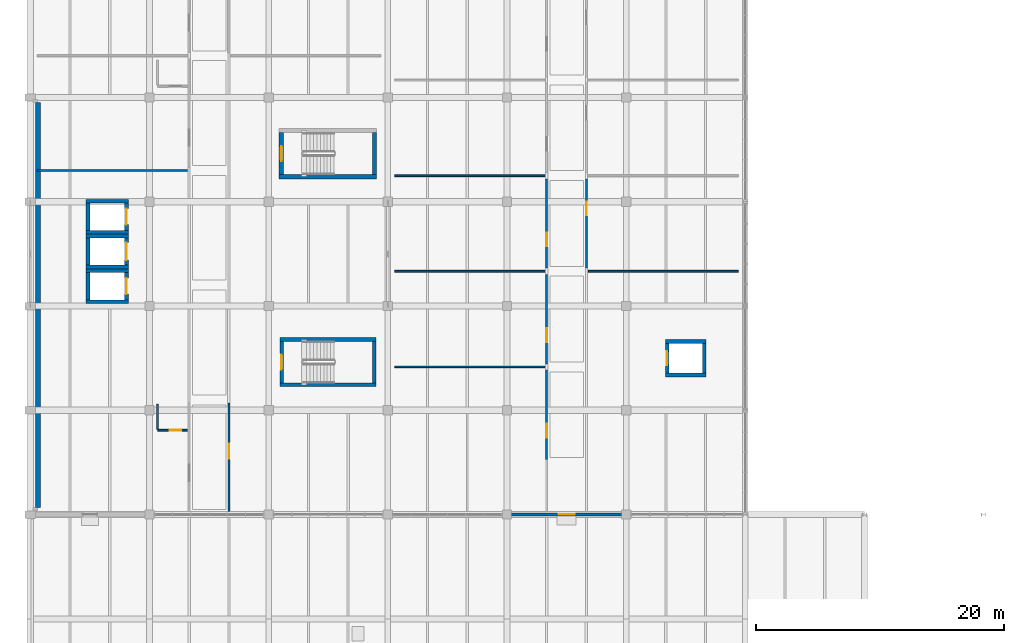
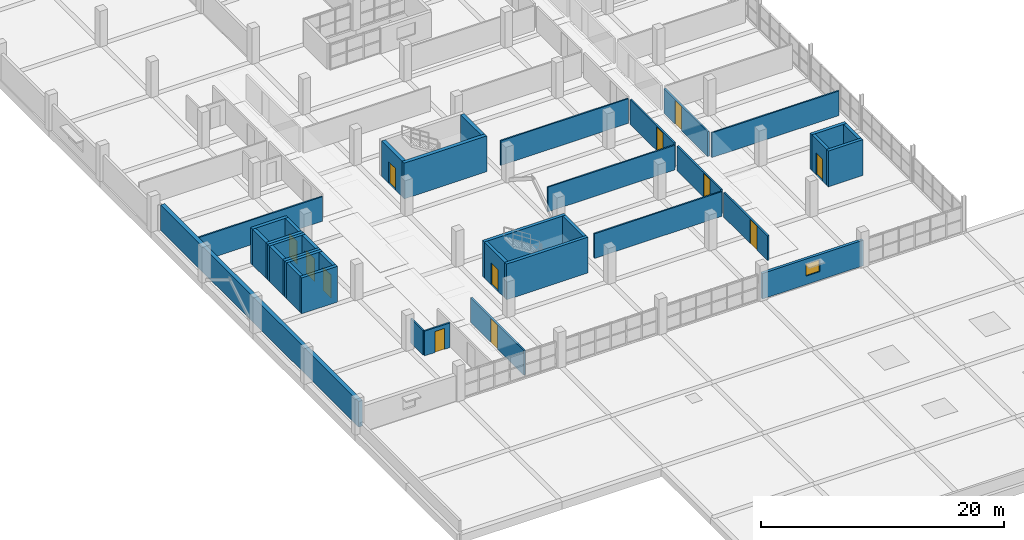
# One storey, part 119 of 147: 37 walls, 12 doors, 1 window, 13 openings.
"""IFC4 building model written with IfcOpenShell, lengths in metres."""

import ifcopenshell
import ifcopenshell.guid

model = None  # the IFC model being written
_history = None  # IfcOwnerHistory: only IFC2X3 demands one
_inside = {}  # id of a spatial element -> (the spatial element, [elements in it])
_under = {}  # id of a project, library or spatial element -> (it, [spatial elements below it])
_declared = {}  # id of a project -> (the project, [libraries it declares])
_typed = {}  # id of a type object -> (the type object, [elements of that type])
_made_of = {}  # id of a material, layer set ... -> (it, [elements and type objects made of it])


def new_model(schema):
    """Start an empty IFC model of exactly this schema.

    Asked for "IFC4X3", IfcOpenShell would pick the latest addendum, in which some entities
    have other attributes; the version numbers below select the first issue.
    IFC2X3 requires an IfcOwnerHistory on every rooted entity: one is made here for all.
    """
    global model, _history
    if schema == "IFC4X3":
        model = ifcopenshell.file(schema_version=(4, 3, 0, 0))
    else:
        model = ifcopenshell.file(schema=schema)
    _inside.clear()
    _under.clear()
    _declared.clear()
    _typed.clear()
    _made_of.clear()
    _history = None
    if model.schema == "IFC2X3":
        org = make("IfcOrganization", Name="unknown")
        user = make(
            "IfcPersonAndOrganization",
            ThePerson=make("IfcPerson", FamilyName="unknown"),
            TheOrganization=org,
        )
        app = make(
            "IfcApplication",
            ApplicationDeveloper=org,
            Version="unknown",
            ApplicationFullName="unknown",
            ApplicationIdentifier="unknown",
        )
        _history = make(
            "IfcOwnerHistory",
            OwningUser=user,
            OwningApplication=app,
            ChangeAction="ADDED",
            CreationDate=0,
        )
    return model


def make(cls, **values):
    """One entity of the class cls with the attributes given. An attribute that is None is left unset."""
    return model.create_entity(
        cls, **{name: value for name, value in values.items() if value is not None}
    )


def rooted(cls, **values):
    """An entity with a GlobalId (a new one), such as an element, a storey or a relation."""
    return make(cls, GlobalId=ifcopenshell.guid.new(), OwnerHistory=_history, **values)


def si_unit(unit_type, name, prefix=None):
    """IfcSIUnit, for example si_unit("LENGTHUNIT", "METRE", prefix="MILLI")."""
    return make("IfcSIUnit", UnitType=unit_type, Prefix=prefix, Name=name)


def assignment(units):
    """IfcUnitAssignment: the units of a project."""
    return None if units is None else make("IfcUnitAssignment", Units=units)


def point(xyz):
    """IfcCartesianPoint."""
    return None if xyz is None else make("IfcCartesianPoint", Coordinates=xyz)


def direction(xyz):
    """IfcDirection."""
    return None if xyz is None else make("IfcDirection", DirectionRatios=xyz)


def frame(location, z_axis=None, x_axis=None):
    """IfcAxis2Placement3D, a coordinate frame: its origin and axes. An axis left out is left unset."""
    return make(
        "IfcAxis2Placement3D",
        Location=point(location),
        Axis=direction(z_axis),
        RefDirection=direction(x_axis),
    )


def frame_2d(location, x_axis=None):
    """IfcAxis2Placement2D, a coordinate frame in the plane: its origin and x axis."""
    return make(
        "IfcAxis2Placement2D", Location=point(location), RefDirection=direction(x_axis)
    )


def origin():
    """The frame at (0, 0, 0) with its axes left unset."""
    return frame((0.0, 0.0, 0.0))


def place(relative_to, where):
    """IfcLocalPlacement: puts the frame where relative to a parent placement (None: the world)."""
    return make(
        "IfcLocalPlacement", PlacementRelTo=relative_to, RelativePlacement=where
    )


def context(
    kind, dimensions, precision=None, world=None, true_north=None, identifier=None
):
    """IfcGeometricRepresentationContext, for example the 3D "Model" context."""
    return make(
        "IfcGeometricRepresentationContext",
        ContextIdentifier=identifier,
        ContextType=kind,
        CoordinateSpaceDimension=dimensions,
        Precision=precision,
        WorldCoordinateSystem=world,
        TrueNorth=true_north,
    )


def subcontext(parent, identifier, kind, view, scale=None):
    """IfcGeometricRepresentationSubContext, for example "Body" below "Model"."""
    return make(
        "IfcGeometricRepresentationSubContext",
        ContextIdentifier=identifier,
        ContextType=kind,
        ParentContext=parent,
        TargetScale=scale,
        TargetView=view,
    )


def project(units=None, contexts=None):
    """IfcProject with its units and contexts."""
    return rooted(
        "IfcProject",
        Name="project",
        RepresentationContexts=contexts,
        UnitsInContext=assignment(units),
    )


def spatial(cls, under=None, at=None, **own):
    """A site, building, storey or space (cls), placed at a placement, below another one or the project."""
    s = rooted(cls, ObjectPlacement=at, **own)
    if under is not None:
        _under.setdefault(under.id(), (under, []))[1].append(s)
    return s


def profile(cls, at=None, kind="AREA", **sizes):
    """A parametric profile (cls). Its sizes go by their IFC names, for example OverallWidth=200.0."""
    return make(cls, ProfileType=kind, Position=at, **sizes)


def rectangle(**sizes):
    """IfcRectangleProfileDef."""
    return profile("IfcRectangleProfileDef", **sizes)


def extrude(swept, where, along, depth):
    """IfcExtrudedAreaSolid: the profile swept, set in the frame where, extruded along a direction by depth."""
    return make(
        "IfcExtrudedAreaSolid",
        SweptArea=swept,
        Position=where,
        ExtrudedDirection=direction(along),
        Depth=depth,
    )


def shape(context_of_items, identifier, shape_type, items):
    """IfcShapeRepresentation: the items that make up one representation, for example the "Body"."""
    return make(
        "IfcShapeRepresentation",
        ContextOfItems=context_of_items,
        RepresentationIdentifier=identifier,
        RepresentationType=shape_type,
        Items=items,
    )


def material(Name=None, Category=None):
    """IfcMaterial."""
    return make("IfcMaterial", Name=Name, Category=Category)


def layer(
    of_material, thickness, ventilated=None, Name=None, Category=None, Priority=None
):
    """IfcMaterialLayer: one layer of a wall or slab, of a material (None: an air gap)."""
    return make(
        "IfcMaterialLayer",
        Material=of_material,
        LayerThickness=thickness,
        IsVentilated=ventilated,
        Name=Name,
        Category=Category,
        Priority=Priority,
    )


def layer_set(layers, Name=None):
    """IfcMaterialLayerSet."""
    return make("IfcMaterialLayerSet", MaterialLayers=layers, LayerSetName=Name)


def made_of(thing, what):
    """Note that an element or type object is made of a material, layer set ...; save() writes the relation."""
    if what is not None:
        _made_of.setdefault(what.id(), (what, []))[1].append(thing)
    return thing


def type_object(cls, material=None, **own):
    """A type object (cls), such as IfcWallType, which elements share."""
    return made_of(rooted(cls, **own), material)


def element(
    cls,
    number,
    at=None,
    inside=None,
    cuts=None,
    type_object=None,
    material=None,
    context=None,
    identifier="Body",
    shape_type=None,
    held_by="IfcProductDefinitionShape",
    body=None,
    shapes=None,
    **own,
):
    """One element of the class cls, such as IfcWall. Its Tag is "e" and its number.

    at: its placement. inside: the storey or other place that contains it. cuts: it is an
    opening in that element (IfcRelVoidsElement). A single representation is given by context,
    identifier, shape_type and body (its items); several are given by shapes. held_by: the class
    of the entity that holds the representations. save() writes the other relations.
    """
    e = rooted(cls, Tag="e%d" % number, ObjectPlacement=at, **own)
    if body is not None:
        shapes = [shape(context, identifier, shape_type, body)]
    if shapes is not None:
        e.Representation = make(held_by, Representations=shapes)
    if inside is not None:
        _inside.setdefault(inside.id(), (inside, []))[1].append(e)
    if cuts is not None:
        rooted(
            "IfcRelVoidsElement", RelatingBuildingElement=cuts, RelatedOpeningElement=e
        )
    if type_object is not None:
        _typed.setdefault(type_object.id(), (type_object, []))[1].append(e)
    return made_of(e, material)


def fill(opening, filler):
    """IfcRelFillsElement: the door or window that sits in an opening."""
    return rooted(
        "IfcRelFillsElement",
        RelatingOpeningElement=opening,
        RelatedBuildingElement=filler,
    )


def aggregate(whole, parts):
    """IfcRelAggregates: a whole, such as a stair, and the parts it consists of."""
    return rooted("IfcRelAggregates", RelatingObject=whole, RelatedObjects=parts)


def save(model, path):
    """Write the relations noted so far, then the file.

    IfcRelAggregates (storeys below a building ...), IfcRelContainedInSpatialStructure (elements
    in a storey), IfcRelDefinesByType, IfcRelAssociatesMaterial and IfcRelDeclares: one each for
    every whole, place, type object, material and project.
    """
    for whole, parts in _under.values():
        aggregate(whole, parts)
    for where, things in _inside.values():
        rooted(
            "IfcRelContainedInSpatialStructure",
            RelatedElements=things,
            RelatingStructure=where,
        )
    for kind, things in _typed.values():
        rooted("IfcRelDefinesByType", RelatedObjects=things, RelatingType=kind)
    for what, things in _made_of.values():
        rooted("IfcRelAssociatesMaterial", RelatedObjects=things, RelatingMaterial=what)
    for by, libraries in _declared.values():
        rooted("IfcRelDeclares", RelatingContext=by, RelatedDefinitions=libraries)
    model.write(path)


model = new_model("IFC4")

# Units and contexts
model_context = context("Model", 3, precision=1e-05, world=origin(), true_north=direction((0.0, 1.0)))
body_context = subcontext(model_context, "Body", "Model", "MODEL_VIEW")
ifc_project = project(units=[si_unit("LENGTHUNIT", "METRE"), si_unit("AREAUNIT", "SQUARE_METRE"), si_unit("VOLUMEUNIT", "CUBIC_METRE"), si_unit("PLANEANGLEUNIT", "RADIAN"), si_unit("MASSUNIT", "GRAM", prefix="KILO")], contexts=[model_context])

# Site, building, storey
site_placement = place(None, origin())
site = spatial("IfcSite", under=ifc_project, at=site_placement, CompositionType="ELEMENT")
building_placement = place(site_placement, origin())
building = spatial("IfcBuilding", under=site, at=building_placement, Name="Oolite Switchyard Hospital", CompositionType="ELEMENT")
storey_placement = place(building_placement, frame((0.0, 0.0, 9.89990234375)))
storey = spatial("IfcBuildingStorey", under=building, at=storey_placement, Name="L02", CompositionType="ELEMENT", Elevation=9.89990234375)

# Wall, opening, window
ifc_material_1 = material(Name="Precast oolitic limestone architectural concrete C40/50", Category="masonry")
ifc_layer_1 = layer(ifc_material_1, 0.260009765625)
ifc_layer_set_1 = layer_set([ifc_layer_1], Name="WAL-EXT-260")
wall_type_1 = type_object("IfcWallType", Name="WAL-EXT-260", PredefinedType="SOLIDWALL", material=ifc_layer_set_1)
wall_1_placement = place(storey_placement, frame((48.0, 33.60009765625, 0.0), z_axis=(0.0, 0.0, 1.0), x_axis=(-1.0, 0.0, 0.0)))
wall_1 = element("IfcWall", 1, at=wall_1_placement, inside=storey, type_object=wall_type_1, Name="L02 Exterior Spandrel Wall 131", PredefinedType="SOLIDWALL", context=body_context, shape_type="SweptSolid", body=[
    extrude(rectangle(XDim=9.60009765625, YDim=0.260009765625, at=frame_2d((4.800048828125, 0.0))), origin(), (0.0, 0.0, 1.0), 2.570068359375),
])
opening_1_placement = place(wall_1_placement, frame((4.14990234375, 0.0, 0.85009765625)))
opening_1 = element("IfcOpeningElement", 2, at=opening_1_placement, cuts=wall_1, Name="Opening WN-0048", PredefinedType="OPENING", context=body_context, shape_type="SweptSolid", body=[
    extrude(rectangle(XDim=1.300048828125, YDim=1.199951171875, at=frame_2d((0.64990234375, 0.60009765625))), frame((0.0, 0.14013671875, 0.0), z_axis=(0.0, -1.0, 0.0), x_axis=(1.0, 0.0, 0.0)), (0.0, 0.0, 1.0), 0.280029296875),
])
ifc_material_2 = material(Name="Thermally broken aluminum frame with laminated impact glazing", Category="aluminium")
window_type = type_object("IfcWindowType", Name="WIN-IMP-130X120", PartitioningType="SINGLE_PANEL", PredefinedType="WINDOW", material=ifc_material_2)
window_placement = place(opening_1_placement, origin())
window = element("IfcWindow", 3, at=window_placement, inside=storey, type_object=window_type, Name="L02 Hurricane Impact Window WN-0048", OverallHeight=1.199951171875, OverallWidth=1.300048828125, PartitioningType="SINGLE_PANEL", PredefinedType="WINDOW", context=body_context, shape_type="SweptSolid", body=[
    extrude(rectangle(XDim=1.300048828125, YDim=1.199951171875, at=frame_2d((0.64990234375, 0.60009765625))), frame((0.0, 0.030029296875, 0.0), z_axis=(0.0, -1.0, 0.0), x_axis=(1.0, 0.0, 0.0)), (0.0, 0.0, 1.0), 0.06005859375),
])
fill(opening_1, window)

# Walls
ifc_layer_2 = layer(ifc_material_1, 0.3798828125)
ifc_layer_set_2 = layer_set([ifc_layer_2], Name="WAL-EXT-380")
wall_type_2 = type_object("IfcWallType", Name="WAL-EXT-380", PredefinedType="SOLIDWALL", material=ifc_layer_set_2)
wall_2_placement = place(storey_placement, frame((0.6201171875, 34.179931640625, 0.0), z_axis=(0.0, 0.0, 1.0), x_axis=(0.0, 1.0, 0.0)))
element("IfcWall", 4, at=wall_2_placement, inside=storey, type_object=wall_type_2, Name="L02 Exterior Spandrel Wall 151", PredefinedType="SOLIDWALL", context=body_context, shape_type="SweptSolid", body=[
    extrude(rectangle(XDim=32.60009765625, YDim=0.3798828125, at=frame_2d((16.300048828125, 0.0))), origin(), (0.0, 0.0, 1.0), 2.570068359375),
])
ifc_material_3 = material(Name="Moisture-resistant gypsum board on steel studs", Category="steel")
ifc_layer_3 = layer(ifc_material_3, 0.135009765625)
ifc_layer_set_3 = layer_set([ifc_layer_3], Name="WAL-PART-135")
wall_type_3 = type_object("IfcWallType", Name="WAL-PART-135", PredefinedType="PARTITIONING", material=ifc_layer_set_3)
for number, where, z_axis, x_axis, name in (
    (5, (29.35009765625, 45.5, 0.0), (0.0, 0.0, 1.0), (1.0, 0.0, 0.0), "L02 Interior Partition 447"),
    (6, (29.35009765625, 53.199951171875, 0.0), (0.0, 0.0, 1.0), (1.0, 0.0, 0.0), "L02 Interior Partition 449"),
):
    element("IfcWall", number, at=place(storey_placement, frame(where, z_axis=z_axis, x_axis=x_axis)), inside=storey, type_object=wall_type_3, Name=name, PredefinedType="PARTITIONING", context=body_context, shape_type="SweptSolid", body=[
        extrude(rectangle(XDim=12.099853515625, YDim=0.135009765625, at=frame_2d((6.0498046875, 0.0))), origin(), (0.0, 0.0, 1.0), 2.47998046875),
    ])
wall_3_placement = place(storey_placement, frame((44.949951171875, 53.199951171875, 0.0), z_axis=(0.0, 0.0, 1.0), x_axis=(1.0, 0.0, 0.0)))
element("IfcWall", 7, at=wall_3_placement, inside=storey, type_object=wall_type_3, Name="L02 Interior Partition 451", PredefinedType="PARTITIONING", context=body_context, shape_type="SweptSolid", body=[
    extrude(rectangle(XDim=12.10009765625, YDim=0.135009765625, at=frame_2d((6.050048828125, 0.0))), origin(), (0.0, 0.0, 1.0), 2.47998046875),
])
for number, where, z_axis, x_axis, name in (
    (8, (29.35009765625, 60.89990234375, 0.0), (0.0, 0.0, 1.0), (1.0, 0.0, 0.0), "L02 Interior Partition 453"),
    (9, (0.550048828125, 61.320068359375, 0.0), (0.0, 0.0, 1.0), (1.0, 0.0, 0.0), "L02 Interior Partition 499"),
):
    element("IfcWall", number, at=place(storey_placement, frame(where, z_axis=z_axis, x_axis=x_axis)), inside=storey, type_object=wall_type_3, Name=name, PredefinedType="PARTITIONING", context=body_context, shape_type="SweptSolid", body=[
        extrude(rectangle(XDim=12.099853515625, YDim=0.135009765625, at=frame_2d((6.0498046875, 0.0))), origin(), (0.0, 0.0, 1.0), 2.47998046875),
    ])

# Wall, opening, door
ifc_layer_4 = layer(ifc_material_3, 0.14990234375)
ifc_layer_set_4 = layer_set([ifc_layer_4], Name="WAL-PART-150")
wall_type_4 = type_object("IfcWallType", Name="WAL-PART-150", PredefinedType="PARTITIONING", material=ifc_layer_set_4)
wall_4_placement = place(storey_placement, frame((10.25, 40.389892578125, 0.0), z_axis=(0.0, 0.0, 1.0), x_axis=(1.0, 0.0, 0.0)))
wall_4 = element("IfcWall", 10, at=wall_4_placement, inside=storey, type_object=wall_type_4, Name="L02 Interior Partition 493", PredefinedType="PARTITIONING", context=body_context, shape_type="SweptSolid", body=[
    extrude(rectangle(XDim=2.39990234375, YDim=0.14990234375, at=frame_2d((1.199951171875, 0.0))), origin(), (0.0, 0.0, 1.0), 2.47998046875),
])
opening_2_placement = place(wall_4_placement, frame((1.0, 0.0, 0.0)))
opening_2 = element("IfcOpeningElement", 11, at=opening_2_placement, cuts=wall_4, Name="Opening D-0278", PredefinedType="OPENING", context=body_context, shape_type="SweptSolid", body=[
    extrude(rectangle(XDim=0.89990234375, YDim=2.10009765625, at=frame_2d((0.449951171875, 1.050048828125))), frame((0.0, 0.0849609375, 0.0), z_axis=(0.0, -1.0, 0.0), x_axis=(1.0, 0.0, 0.0)), (0.0, 0.0, 1.0), 0.169921875),
])
ifc_material_4 = material(Name="Solid-core antimicrobial hardwood leaf in steel frame", Category="steel")
door_type_1 = type_object("IfcDoorType", Name="DR-BATH-090X210", OperationType="NOTDEFINED", PredefinedType="DOOR", material=ifc_material_4)
door_1_placement = place(opening_2_placement, origin())
door_1 = element("IfcDoor", 12, at=door_1_placement, inside=storey, type_object=door_type_1, Name="L02 Interior Door D-0278", OperationType="SINGLE_SWING_RIGHT", OverallHeight=2.10009765625, OverallWidth=0.89990234375, PredefinedType="DOOR", context=body_context, shape_type="SweptSolid", body=[
    extrude(rectangle(XDim=0.89990234375, YDim=2.10009765625, at=frame_2d((0.449951171875, 1.050048828125))), frame((0.0, 0.02490234375, 0.0), z_axis=(0.0, -1.0, 0.0), x_axis=(1.0, 0.0, 0.0)), (0.0, 0.0, 1.0), 0.050048828125),
])
fill(opening_2, door_1)

# Wall
wall_5_placement = place(storey_placement, frame((10.25, 40.489990234375, 0.0), z_axis=(0.0, 0.0, 1.0), x_axis=(0.0, 1.0, 0.0)))
element("IfcWall", 13, at=wall_5_placement, inside=storey, type_object=wall_type_4, Name="L02 Interior Partition 494", PredefinedType="PARTITIONING", context=body_context, shape_type="SweptSolid", body=[
    extrude(rectangle(XDim=2.0, YDim=0.14990234375, at=frame_2d((1.0, 0.0))), origin(), (0.0, 0.0, 1.0), 2.47998046875),
])

# Wall, opening, door
ifc_layer_5 = layer(ifc_material_3, 0.1650390625)
ifc_layer_set_5 = layer_set([ifc_layer_5], Name="WAL-PART-165")
wall_type_5 = type_object("IfcWallType", Name="WAL-PART-165", PredefinedType="PARTITIONING", material=ifc_layer_set_5)
wall_6_placement = place(storey_placement, frame((41.60009765625, 38.050048828125, 0.0), z_axis=(0.0, 0.0, 1.0), x_axis=(0.0, 1.0, 0.0)))
wall_6 = element("IfcWall", 14, at=wall_6_placement, inside=storey, type_object=wall_type_5, Name="L02 Interior Partition 445", PredefinedType="PARTITIONING", context=body_context, shape_type="SweptSolid", body=[
    extrude(rectangle(XDim=7.199951171875, YDim=0.1650390625, at=frame_2d((3.60009765625, 0.0))), origin(), (0.0, 0.0, 1.0), 2.47998046875),
])
opening_3_placement = place(wall_6_placement, frame((1.75, 0.0, 0.0)))
opening_3 = element("IfcOpeningElement", 15, at=opening_3_placement, cuts=wall_6, Name="Opening D-0252", PredefinedType="OPENING", context=body_context, shape_type="SweptSolid", body=[
    extrude(rectangle(XDim=1.10009765625, YDim=2.39990234375, at=frame_2d((0.550048828125, 1.199951171875))), frame((0.0, 0.092529296875, 0.0), z_axis=(0.0, -1.0, 0.0), x_axis=(1.0, 0.0, 0.0)), (0.0, 0.0, 1.0), 0.18505859375),
])
ifc_material_5 = material(Name="Hollow metal fire-rated steel door assembly", Category="steel")
door_type_2 = type_object("IfcDoorType", Name="DR-LAB-110X240", OperationType="NOTDEFINED", PredefinedType="DOOR", material=ifc_material_5)
door_2_placement = place(opening_3_placement, origin())
door_2 = element("IfcDoor", 16, at=door_2_placement, inside=storey, type_object=door_type_2, Name="L02 Interior Door D-0252", OperationType="SINGLE_SWING_LEFT", OverallHeight=2.39990234375, OverallWidth=1.10009765625, PredefinedType="DOOR", context=body_context, shape_type="SweptSolid", body=[
    extrude(rectangle(XDim=1.10009765625, YDim=2.39990234375, at=frame_2d((0.550048828125, 1.199951171875))), frame((0.0, 0.02490234375, 0.0), z_axis=(0.0, -1.0, 0.0), x_axis=(1.0, 0.0, 0.0)), (0.0, 0.0, 1.0), 0.050048828125),
])
fill(opening_3, door_2)

wall_7_placement = place(storey_placement, frame((41.60009765625, 45.75, 0.0), z_axis=(0.0, 0.0, 1.0), x_axis=(0.0, 1.0, 0.0)))
wall_7 = element("IfcWall", 17, at=wall_7_placement, inside=storey, type_object=wall_type_5, Name="L02 Interior Partition 446", PredefinedType="PARTITIONING", context=body_context, shape_type="SweptSolid", body=[
    extrude(rectangle(XDim=7.199951171875, YDim=0.1650390625, at=frame_2d((3.60009765625, 0.0))), origin(), (0.0, 0.0, 1.0), 2.47998046875),
])
opening_4_placement = place(wall_7_placement, frame((1.75, 0.0, 0.0)))
opening_4 = element("IfcOpeningElement", 18, at=opening_4_placement, cuts=wall_7, Name="Opening D-0253", PredefinedType="OPENING", context=body_context, shape_type="SweptSolid", body=[
    extrude(rectangle(XDim=1.10009765625, YDim=2.39990234375, at=frame_2d((0.550048828125, 1.199951171875))), frame((0.0, 0.092529296875, 0.0), z_axis=(0.0, -1.0, 0.0), x_axis=(1.0, 0.0, 0.0)), (0.0, 0.0, 1.0), 0.18505859375),
])
door_3_placement = place(opening_4_placement, origin())
door_3 = element("IfcDoor", 19, at=door_3_placement, inside=storey, type_object=door_type_2, Name="L02 Interior Door D-0253", OperationType="SINGLE_SWING_RIGHT", OverallHeight=2.39990234375, OverallWidth=1.10009765625, PredefinedType="DOOR", context=body_context, shape_type="SweptSolid", body=[
    extrude(rectangle(XDim=1.10009765625, YDim=2.39990234375, at=frame_2d((0.550048828125, 1.199951171875))), frame((0.0, 0.02490234375, 0.0), z_axis=(0.0, -1.0, 0.0), x_axis=(1.0, 0.0, 0.0)), (0.0, 0.0, 1.0), 0.050048828125),
])
fill(opening_4, door_3)

wall_8_placement = place(storey_placement, frame((41.60009765625, 53.449951171875, 0.0), z_axis=(0.0, 0.0, 1.0), x_axis=(0.0, 1.0, 0.0)))
wall_8 = element("IfcWall", 20, at=wall_8_placement, inside=storey, type_object=wall_type_5, Name="L02 Interior Partition 448", PredefinedType="PARTITIONING", context=body_context, shape_type="SweptSolid", body=[
    extrude(rectangle(XDim=7.199951171875, YDim=0.1650390625, at=frame_2d((3.60009765625, 0.0))), origin(), (0.0, 0.0, 1.0), 2.47998046875),
])
opening_5_placement = place(wall_8_placement, frame((1.75, 0.0, 0.0)))
opening_5 = element("IfcOpeningElement", 21, at=opening_5_placement, cuts=wall_8, Name="Opening D-0254", PredefinedType="OPENING", context=body_context, shape_type="SweptSolid", body=[
    extrude(rectangle(XDim=1.10009765625, YDim=2.39990234375, at=frame_2d((0.550048828125, 1.199951171875))), frame((0.0, 0.092529296875, 0.0), z_axis=(0.0, -1.0, 0.0), x_axis=(1.0, 0.0, 0.0)), (0.0, 0.0, 1.0), 0.18505859375),
])
door_4_placement = place(opening_5_placement, origin())
door_4 = element("IfcDoor", 22, at=door_4_placement, inside=storey, type_object=door_type_2, Name="L02 Interior Door D-0254", OperationType="SINGLE_SWING_LEFT", OverallHeight=2.39990234375, OverallWidth=1.10009765625, PredefinedType="DOOR", context=body_context, shape_type="SweptSolid", body=[
    extrude(rectangle(XDim=1.10009765625, YDim=2.39990234375, at=frame_2d((0.550048828125, 1.199951171875))), frame((0.0, 0.02490234375, 0.0), z_axis=(0.0, -1.0, 0.0), x_axis=(1.0, 0.0, 0.0)), (0.0, 0.0, 1.0), 0.050048828125),
])
fill(opening_5, door_4)

wall_9_placement = place(storey_placement, frame((44.800048828125, 53.449951171875, 0.0), z_axis=(0.0, 0.0, 1.0), x_axis=(0.0, 1.0, 0.0)))
wall_9 = element("IfcWall", 23, at=wall_9_placement, inside=storey, type_object=wall_type_5, Name="L02 Interior Partition 450", PredefinedType="PARTITIONING", context=body_context, shape_type="SweptSolid", body=[
    extrude(rectangle(XDim=7.199951171875, YDim=0.1650390625, at=frame_2d((3.60009765625, 0.0))), origin(), (0.0, 0.0, 1.0), 2.47998046875),
])
opening_6_placement = place(wall_9_placement, frame((4.25, 0.0, 0.0)))
opening_6 = element("IfcOpeningElement", 24, at=opening_6_placement, cuts=wall_9, Name="Opening D-0255", PredefinedType="OPENING", context=body_context, shape_type="SweptSolid", body=[
    extrude(rectangle(XDim=1.10009765625, YDim=2.39990234375, at=frame_2d((0.550048828125, 1.199951171875))), frame((0.0, 0.092529296875, 0.0), z_axis=(0.0, -1.0, 0.0), x_axis=(1.0, 0.0, 0.0)), (0.0, 0.0, 1.0), 0.18505859375),
])
door_5_placement = place(opening_6_placement, origin())
door_5 = element("IfcDoor", 25, at=door_5_placement, inside=storey, type_object=door_type_2, Name="L02 Interior Door D-0255", OperationType="SINGLE_SWING_RIGHT", OverallHeight=2.39990234375, OverallWidth=1.10009765625, PredefinedType="DOOR", context=body_context, shape_type="SweptSolid", body=[
    extrude(rectangle(XDim=1.10009765625, YDim=2.39990234375, at=frame_2d((0.550048828125, 1.199951171875))), frame((0.0, 0.02490234375, 0.0), z_axis=(0.0, -1.0, 0.0), x_axis=(1.0, 0.0, 0.0)), (0.0, 0.0, 1.0), 0.050048828125),
])
fill(opening_6, door_5)

wall_10_placement = place(storey_placement, frame((16.0, 33.85009765625, 0.0), z_axis=(0.0, 0.0, 1.0), x_axis=(0.0, 1.0, 0.0)))
wall_10 = element("IfcWall", 26, at=wall_10_placement, inside=storey, type_object=wall_type_5, Name="L02 Interior Partition 495", PredefinedType="PARTITIONING", context=body_context, shape_type="SweptSolid", body=[
    extrude(rectangle(XDim=8.739990234375, YDim=0.1650390625, at=frame_2d((4.3701171875, 0.0))), origin(), (0.0, 0.0, 1.0), 2.47998046875),
])
opening_7_placement = place(wall_10_placement, frame((4.25, 0.0, 0.0)))
opening_7 = element("IfcOpeningElement", 27, at=opening_7_placement, cuts=wall_10, Name="Opening D-0279", PredefinedType="OPENING", context=body_context, shape_type="SweptSolid", body=[
    extrude(rectangle(XDim=1.199951171875, YDim=2.39990234375, at=frame_2d((0.60009765625, 1.199951171875))), frame((0.0, 0.092529296875, 0.0), z_axis=(0.0, -1.0, 0.0), x_axis=(1.0, 0.0, 0.0)), (0.0, 0.0, 1.0), 0.18505859375),
])
door_type_3 = type_object("IfcDoorType", Name="DR-PHARM-120X240", OperationType="NOTDEFINED", PredefinedType="DOOR", material=ifc_material_5)
door_6_placement = place(opening_7_placement, origin())
door_6 = element("IfcDoor", 28, at=door_6_placement, inside=storey, type_object=door_type_3, Name="L02 Interior Door D-0279", OperationType="SINGLE_SWING_RIGHT", OverallHeight=2.39990234375, OverallWidth=1.199951171875, PredefinedType="DOOR", context=body_context, shape_type="SweptSolid", body=[
    extrude(rectangle(XDim=1.199951171875, YDim=2.39990234375, at=frame_2d((0.60009765625, 1.199951171875))), frame((0.0, 0.02490234375, 0.0), z_axis=(0.0, -1.0, 0.0), x_axis=(1.0, 0.0, 0.0)), (0.0, 0.0, 1.0), 0.050048828125),
])
fill(opening_7, door_6)

# Walls
ifc_material_6 = material(Name="Concrete C50/60", Category="concrete")
ifc_layer_6 = layer(ifc_material_6, 0.300048828125)
ifc_layer_set_6 = layer_set([ifc_layer_6], Name="WAL-SHR-300")
wall_type_6 = type_object("IfcWallType", Name="WAL-SHR-300", PredefinedType="SHEAR", material=ifc_layer_set_6)
wall_11_placement = place(storey_placement, frame((20.10009765625, 44.050048828125, 0.0), z_axis=(0.0, 0.0, 1.0), x_axis=(1.0, 0.0, 0.0)))
element("IfcWall", 29, at=wall_11_placement, inside=storey, type_object=wall_type_6, Name="L02 Core Shear Wall ST-01", PredefinedType="SHEAR", context=body_context, shape_type="SweptSolid", body=[
    extrude(rectangle(XDim=7.75, YDim=0.300048828125, at=frame_2d((3.875, 0.0))), origin(), (0.0, 0.0, 1.0), 3.60009765625),
])
wall_12_placement = place(storey_placement, frame((27.699951171875, 44.199951171875, 0.0), z_axis=(0.0, 0.0, 1.0), x_axis=(0.0, 1.0, 0.0)))
element("IfcWall", 30, at=wall_12_placement, inside=storey, type_object=wall_type_6, Name="L02 Core Shear Wall ST-01", PredefinedType="SHEAR", context=body_context, shape_type="SweptSolid", body=[
    extrude(rectangle(XDim=3.360107421875, YDim=0.300048828125, at=frame_2d((1.68017578125, 0.0))), origin(), (0.0, 0.0, 1.0), 3.60009765625),
])
wall_13_placement = place(storey_placement, frame((27.85009765625, 47.7099609375, 0.0), z_axis=(0.0, 0.0, 1.0), x_axis=(-1.0, 0.0, 0.0)))
element("IfcWall", 31, at=wall_13_placement, inside=storey, type_object=wall_type_6, Name="L02 Core Shear Wall ST-01", PredefinedType="SHEAR", context=body_context, shape_type="SweptSolid", body=[
    extrude(rectangle(XDim=7.75, YDim=0.300048828125, at=frame_2d((3.875, 0.0))), origin(), (0.0, 0.0, 1.0), 3.60009765625),
])

# Wall, opening, door
wall_14_placement = place(storey_placement, frame((20.25, 47.56005859375, 0.0), z_axis=(0.0, 0.0, 1.0), x_axis=(0.0, -1.0, 0.0)))
wall_14 = element("IfcWall", 32, at=wall_14_placement, inside=storey, type_object=wall_type_6, Name="L02 Core Shear Wall ST-01", PredefinedType="SHEAR", context=body_context, shape_type="SweptSolid", body=[
    extrude(rectangle(XDim=3.360107421875, YDim=0.300048828125, at=frame_2d((1.68017578125, 0.0))), origin(), (0.0, 0.0, 1.0), 3.60009765625),
])
opening_8_placement = place(wall_14_placement, frame((1.080078125, 0.0, 0.0)))
opening_8 = element("IfcOpeningElement", 33, at=opening_8_placement, cuts=wall_14, Name="Opening SD-003", PredefinedType="OPENING", context=body_context, shape_type="SweptSolid", body=[
    extrude(rectangle(XDim=1.199951171875, YDim=2.199951171875, at=frame_2d((0.60009765625, 1.10009765625))), frame((0.0, 0.16015625, 0.0), z_axis=(0.0, -1.0, 0.0), x_axis=(1.0, 0.0, 0.0)), (0.0, 0.0, 1.0), 0.320068359375),
])
door_type_4 = type_object("IfcDoorType", Name="DR-STR-120X220", OperationType="NOTDEFINED", PredefinedType="DOOR", material=ifc_material_5)
door_7_placement = place(opening_8_placement, origin())
door_7 = element("IfcDoor", 34, at=door_7_placement, inside=storey, type_object=door_type_4, Name="L02 ST-01 Exit Stair Door SD-003", OperationType="SINGLE_SWING_LEFT", OverallHeight=2.199951171875, OverallWidth=1.199951171875, PredefinedType="DOOR", context=body_context, shape_type="SweptSolid", body=[
    extrude(rectangle(XDim=1.199951171875, YDim=2.199951171875, at=frame_2d((0.60009765625, 1.10009765625))), frame((0.0, 0.02490234375, 0.0), z_axis=(0.0, -1.0, 0.0), x_axis=(1.0, 0.0, 0.0)), (0.0, 0.0, 1.0), 0.050048828125),
])
fill(opening_8, door_7)

# Wall
wall_15_placement = place(storey_placement, frame((4.5, 50.75, 0.0), z_axis=(0.0, 0.0, 1.0), x_axis=(1.0, 0.0, 0.0)))
element("IfcWall", 35, at=wall_15_placement, inside=storey, type_object=wall_type_6, Name="L02 Lift Shaft Shear Wall EL-05", PredefinedType="SHEAR", context=body_context, shape_type="SweptSolid", body=[
    extrude(rectangle(XDim=3.39990234375, YDim=0.300048828125, at=frame_2d((1.699951171875, 0.0))), origin(), (0.0, 0.0, 1.0), 3.60009765625),
])

# Wall, opening, door
wall_16_placement = place(storey_placement, frame((7.75, 50.89990234375, 0.0), z_axis=(0.0, 0.0, 1.0), x_axis=(0.0, 1.0, 0.0)))
wall_16 = element("IfcWall", 36, at=wall_16_placement, inside=storey, type_object=wall_type_6, Name="L02 Lift Shaft Shear Wall EL-05", PredefinedType="SHEAR", context=body_context, shape_type="SweptSolid", body=[
    extrude(rectangle(XDim=2.2001953125, YDim=0.300048828125, at=frame_2d((1.10009765625, 0.0))), origin(), (0.0, 0.0, 1.0), 3.60009765625),
])
opening_9_placement = place(wall_16_placement, frame((0.449951171875, 0.0, 0.0)))
opening_9 = element("IfcOpeningElement", 37, at=opening_9_placement, cuts=wall_16, Name="Opening LD-037", PredefinedType="OPENING", context=body_context, shape_type="SweptSolid", body=[
    extrude(rectangle(XDim=1.300048828125, YDim=2.300048828125, at=frame_2d((0.64990234375, 1.14990234375))), frame((0.0, 0.16015625, 0.0), z_axis=(0.0, -1.0, 0.0), x_axis=(1.0, 0.0, 0.0)), (0.0, 0.0, 1.0), 0.320068359375),
])
ifc_material_7 = material(Name="Brushed stainless steel fire-rated sliding landing door", Category="steel")
door_type_5 = type_object("IfcDoorType", Name="DR-LD-130X230", OperationType="NOTDEFINED", PredefinedType="DOOR", material=ifc_material_7)
door_8_placement = place(opening_9_placement, origin())
door_8 = element("IfcDoor", 38, at=door_8_placement, inside=storey, type_object=door_type_5, Name="L02 EL-05 Lift Landing Door LD-037", OperationType="SLIDING_TO_LEFT", OverallHeight=2.300048828125, OverallWidth=1.300048828125, PredefinedType="DOOR", context=body_context, shape_type="SweptSolid", body=[
    extrude(rectangle(XDim=1.300048828125, YDim=2.300048828125, at=frame_2d((0.64990234375, 1.14990234375))), frame((0.0, 0.02490234375, 0.0), z_axis=(0.0, -1.0, 0.0), x_axis=(1.0, 0.0, 0.0)), (0.0, 0.0, 1.0), 0.050048828125),
])
fill(opening_9, door_8)

# Walls
wall_17_placement = place(storey_placement, frame((7.89990234375, 53.25, 0.0), z_axis=(0.0, 0.0, 1.0), x_axis=(-1.0, 0.0, 0.0)))
element("IfcWall", 39, at=wall_17_placement, inside=storey, type_object=wall_type_6, Name="L02 Lift Shaft Shear Wall EL-05", PredefinedType="SHEAR", context=body_context, shape_type="SweptSolid", body=[
    extrude(rectangle(XDim=3.39990234375, YDim=0.300048828125, at=frame_2d((1.699951171875, 0.0))), origin(), (0.0, 0.0, 1.0), 3.60009765625),
])
wall_18_placement = place(storey_placement, frame((4.64990234375, 53.10009765625, 0.0), z_axis=(0.0, 0.0, 1.0), x_axis=(0.0, -1.0, 0.0)))
element("IfcWall", 40, at=wall_18_placement, inside=storey, type_object=wall_type_6, Name="L02 Lift Shaft Shear Wall EL-05", PredefinedType="SHEAR", context=body_context, shape_type="SweptSolid", body=[
    extrude(rectangle(XDim=2.2001953125, YDim=0.300048828125, at=frame_2d((1.10009765625, 0.0))), origin(), (0.0, 0.0, 1.0), 3.60009765625),
])
wall_19_placement = place(storey_placement, frame((4.5, 53.550048828125, 0.0), z_axis=(0.0, 0.0, 1.0), x_axis=(1.0, 0.0, 0.0)))
element("IfcWall", 41, at=wall_19_placement, inside=storey, type_object=wall_type_6, Name="L02 Lift Shaft Shear Wall EL-06", PredefinedType="SHEAR", context=body_context, shape_type="SweptSolid", body=[
    extrude(rectangle(XDim=3.39990234375, YDim=0.300048828125, at=frame_2d((1.699951171875, 0.0))), origin(), (0.0, 0.0, 1.0), 3.60009765625),
])

# Wall, opening, door
wall_20_placement = place(storey_placement, frame((7.75, 53.699951171875, 0.0), z_axis=(0.0, 0.0, 1.0), x_axis=(0.0, 1.0, 0.0)))
wall_20 = element("IfcWall", 42, at=wall_20_placement, inside=storey, type_object=wall_type_6, Name="L02 Lift Shaft Shear Wall EL-06", PredefinedType="SHEAR", context=body_context, shape_type="SweptSolid", body=[
    extrude(rectangle(XDim=2.199951171875, YDim=0.300048828125, at=frame_2d((1.10009765625, 0.0))), origin(), (0.0, 0.0, 1.0), 3.60009765625),
])
opening_10_placement = place(wall_20_placement, frame((0.39990234375, 0.0, 0.0)))
opening_10 = element("IfcOpeningElement", 43, at=opening_10_placement, cuts=wall_20, Name="Opening LD-044", PredefinedType="OPENING", context=body_context, shape_type="SweptSolid", body=[
    extrude(rectangle(XDim=1.39990234375, YDim=2.300048828125, at=frame_2d((0.699951171875, 1.14990234375))), frame((0.0, 0.16015625, 0.0), z_axis=(0.0, -1.0, 0.0), x_axis=(1.0, 0.0, 0.0)), (0.0, 0.0, 1.0), 0.320068359375),
])
door_type_6 = type_object("IfcDoorType", Name="DR-LD-140X230", OperationType="NOTDEFINED", PredefinedType="DOOR", material=ifc_material_7)
door_9_placement = place(opening_10_placement, origin())
door_9 = element("IfcDoor", 44, at=door_9_placement, inside=storey, type_object=door_type_6, Name="L02 EL-06 Lift Landing Door LD-044", OperationType="SLIDING_TO_RIGHT", OverallHeight=2.300048828125, OverallWidth=1.39990234375, PredefinedType="DOOR", context=body_context, shape_type="SweptSolid", body=[
    extrude(rectangle(XDim=1.39990234375, YDim=2.300048828125, at=frame_2d((0.699951171875, 1.14990234375))), frame((0.0, 0.02490234375, 0.0), z_axis=(0.0, -1.0, 0.0), x_axis=(1.0, 0.0, 0.0)), (0.0, 0.0, 1.0), 0.050048828125),
])
fill(opening_10, door_9)

# Walls
wall_21_placement = place(storey_placement, frame((7.89990234375, 56.050048828125, 0.0), z_axis=(0.0, 0.0, 1.0), x_axis=(-1.0, 0.0, 0.0)))
element("IfcWall", 45, at=wall_21_placement, inside=storey, type_object=wall_type_6, Name="L02 Lift Shaft Shear Wall EL-06", PredefinedType="SHEAR", context=body_context, shape_type="SweptSolid", body=[
    extrude(rectangle(XDim=3.39990234375, YDim=0.300048828125, at=frame_2d((1.699951171875, 0.0))), origin(), (0.0, 0.0, 1.0), 3.60009765625),
])
wall_22_placement = place(storey_placement, frame((4.64990234375, 55.89990234375, 0.0), z_axis=(0.0, 0.0, 1.0), x_axis=(0.0, -1.0, 0.0)))
element("IfcWall", 46, at=wall_22_placement, inside=storey, type_object=wall_type_6, Name="L02 Lift Shaft Shear Wall EL-06", PredefinedType="SHEAR", context=body_context, shape_type="SweptSolid", body=[
    extrude(rectangle(XDim=2.199951171875, YDim=0.300048828125, at=frame_2d((1.10009765625, 0.0))), origin(), (0.0, 0.0, 1.0), 3.60009765625),
])
wall_23_placement = place(storey_placement, frame((4.5, 56.35009765625, 0.0), z_axis=(0.0, 0.0, 1.0), x_axis=(1.0, 0.0, 0.0)))
element("IfcWall", 47, at=wall_23_placement, inside=storey, type_object=wall_type_6, Name="L02 Lift Shaft Shear Wall EL-07", PredefinedType="SHEAR", context=body_context, shape_type="SweptSolid", body=[
    extrude(rectangle(XDim=3.39990234375, YDim=0.300048828125, at=frame_2d((1.699951171875, 0.0))), origin(), (0.0, 0.0, 1.0), 3.60009765625),
])

# Wall, opening, door
wall_24_placement = place(storey_placement, frame((7.75, 56.5, 0.0), z_axis=(0.0, 0.0, 1.0), x_axis=(0.0, 1.0, 0.0)))
wall_24 = element("IfcWall", 48, at=wall_24_placement, inside=storey, type_object=wall_type_6, Name="L02 Lift Shaft Shear Wall EL-07", PredefinedType="SHEAR", context=body_context, shape_type="SweptSolid", body=[
    extrude(rectangle(XDim=2.199951171875, YDim=0.300048828125, at=frame_2d((1.10009765625, 0.0))), origin(), (0.0, 0.0, 1.0), 3.60009765625),
])
opening_11_placement = place(wall_24_placement, frame((0.449951171875, 0.0, 0.0)))
opening_11 = element("IfcOpeningElement", 49, at=opening_11_placement, cuts=wall_24, Name="Opening LD-051", PredefinedType="OPENING", context=body_context, shape_type="SweptSolid", body=[
    extrude(rectangle(XDim=1.300048828125, YDim=2.300048828125, at=frame_2d((0.64990234375, 1.14990234375))), frame((0.0, 0.16015625, 0.0), z_axis=(0.0, -1.0, 0.0), x_axis=(1.0, 0.0, 0.0)), (0.0, 0.0, 1.0), 0.320068359375),
])
door_10_placement = place(opening_11_placement, origin())
door_10 = element("IfcDoor", 50, at=door_10_placement, inside=storey, type_object=door_type_5, Name="L02 EL-07 Lift Landing Door LD-051", OperationType="SLIDING_TO_LEFT", OverallHeight=2.300048828125, OverallWidth=1.300048828125, PredefinedType="DOOR", context=body_context, shape_type="SweptSolid", body=[
    extrude(rectangle(XDim=1.300048828125, YDim=2.300048828125, at=frame_2d((0.64990234375, 1.14990234375))), frame((0.0, 0.02490234375, 0.0), z_axis=(0.0, -1.0, 0.0), x_axis=(1.0, 0.0, 0.0)), (0.0, 0.0, 1.0), 0.050048828125),
])
fill(opening_11, door_10)

# Walls
wall_25_placement = place(storey_placement, frame((7.89990234375, 58.85009765625, 0.0), z_axis=(0.0, 0.0, 1.0), x_axis=(-1.0, 0.0, 0.0)))
element("IfcWall", 51, at=wall_25_placement, inside=storey, type_object=wall_type_6, Name="L02 Lift Shaft Shear Wall EL-07", PredefinedType="SHEAR", context=body_context, shape_type="SweptSolid", body=[
    extrude(rectangle(XDim=3.39990234375, YDim=0.300048828125, at=frame_2d((1.699951171875, 0.0))), origin(), (0.0, 0.0, 1.0), 3.60009765625),
])
wall_26_placement = place(storey_placement, frame((4.64990234375, 58.699951171875, 0.0), z_axis=(0.0, 0.0, 1.0), x_axis=(0.0, -1.0, 0.0)))
element("IfcWall", 52, at=wall_26_placement, inside=storey, type_object=wall_type_6, Name="L02 Lift Shaft Shear Wall EL-07", PredefinedType="SHEAR", context=body_context, shape_type="SweptSolid", body=[
    extrude(rectangle(XDim=2.199951171875, YDim=0.300048828125, at=frame_2d((1.10009765625, 0.0))), origin(), (0.0, 0.0, 1.0), 3.60009765625),
])
wall_27_placement = place(storey_placement, frame((51.14990234375, 44.85009765625, 0.0), z_axis=(0.0, 0.0, 1.0), x_axis=(1.0, 0.0, 0.0)))
element("IfcWall", 53, at=wall_27_placement, inside=storey, type_object=wall_type_6, Name="L02 Lift Shaft Shear Wall EL-12", PredefinedType="SHEAR", context=body_context, shape_type="SweptSolid", body=[
    extrude(rectangle(XDim=3.300048828125, YDim=0.300048828125, at=frame_2d((1.64990234375, 0.0))), origin(), (0.0, 0.0, 1.0), 3.60009765625),
])
wall_28_placement = place(storey_placement, frame((54.300048828125, 45.0, 0.0), z_axis=(0.0, 0.0, 1.0), x_axis=(0.0, 1.0, 0.0)))
element("IfcWall", 54, at=wall_28_placement, inside=storey, type_object=wall_type_6, Name="L02 Lift Shaft Shear Wall EL-12", PredefinedType="SHEAR", context=body_context, shape_type="SweptSolid", body=[
    extrude(rectangle(XDim=2.39990234375, YDim=0.300048828125, at=frame_2d((1.199951171875, 0.0))), origin(), (0.0, 0.0, 1.0), 3.60009765625),
])
wall_29_placement = place(storey_placement, frame((54.449951171875, 47.550048828125, 0.0), z_axis=(0.0, 0.0, 1.0), x_axis=(-1.0, 0.0, 0.0)))
element("IfcWall", 55, at=wall_29_placement, inside=storey, type_object=wall_type_6, Name="L02 Lift Shaft Shear Wall EL-12", PredefinedType="SHEAR", context=body_context, shape_type="SweptSolid", body=[
    extrude(rectangle(XDim=3.300048828125, YDim=0.300048828125, at=frame_2d((1.64990234375, 0.0))), origin(), (0.0, 0.0, 1.0), 3.60009765625),
])

# Wall, opening, door
wall_30_placement = place(storey_placement, frame((51.300048828125, 47.39990234375, 0.0), z_axis=(0.0, 0.0, 1.0), x_axis=(0.0, -1.0, 0.0)))
wall_30 = element("IfcWall", 56, at=wall_30_placement, inside=storey, type_object=wall_type_6, Name="L02 Lift Shaft Shear Wall EL-12", PredefinedType="SHEAR", context=body_context, shape_type="SweptSolid", body=[
    extrude(rectangle(XDim=2.39990234375, YDim=0.300048828125, at=frame_2d((1.199951171875, 0.0))), origin(), (0.0, 0.0, 1.0), 3.60009765625),
])
opening_12_placement = place(wall_30_placement, frame((0.64990234375, 0.0, 0.0)))
opening_12 = element("IfcOpeningElement", 57, at=opening_12_placement, cuts=wall_30, Name="Opening LD-075", PredefinedType="OPENING", context=body_context, shape_type="SweptSolid", body=[
    extrude(rectangle(XDim=1.10009765625, YDim=2.199951171875, at=frame_2d((0.550048828125, 1.10009765625))), frame((0.0, 0.16015625, 0.0), z_axis=(0.0, -1.0, 0.0), x_axis=(1.0, 0.0, 0.0)), (0.0, 0.0, 1.0), 0.320068359375),
])
door_type_7 = type_object("IfcDoorType", Name="DR-LD-110X220", OperationType="NOTDEFINED", PredefinedType="DOOR", material=ifc_material_7)
door_11_placement = place(opening_12_placement, origin())
door_11 = element("IfcDoor", 58, at=door_11_placement, inside=storey, type_object=door_type_7, Name="L02 EL-12 Lift Landing Door LD-075", OperationType="SLIDING_TO_LEFT", OverallHeight=2.199951171875, OverallWidth=1.10009765625, PredefinedType="DOOR", context=body_context, shape_type="SweptSolid", body=[
    extrude(rectangle(XDim=1.10009765625, YDim=2.199951171875, at=frame_2d((0.550048828125, 1.10009765625))), frame((0.0, 0.02490234375, 0.0), z_axis=(0.0, -1.0, 0.0), x_axis=(1.0, 0.0, 0.0)), (0.0, 0.0, 1.0), 0.050048828125),
])
fill(opening_12, door_11)

# Walls
ifc_layer_7 = layer(ifc_material_6, 0.35009765625)
ifc_layer_set_7 = layer_set([ifc_layer_7], Name="WAL-SHR-350")
wall_type_7 = type_object("IfcWallType", Name="WAL-SHR-350", PredefinedType="SHEAR", material=ifc_layer_set_7)
wall_31_placement = place(storey_placement, frame((20.050048828125, 60.824951171875, 0.0), z_axis=(0.0, 0.0, 1.0), x_axis=(1.0, 0.0, 0.0)))
element("IfcWall", 59, at=wall_31_placement, inside=storey, type_object=wall_type_7, Name="L02 Core Shear Wall ST-02", PredefinedType="SHEAR", context=body_context, shape_type="SweptSolid", body=[
    extrude(rectangle(XDim=7.849853515625, YDim=0.35009765625, at=frame_2d((3.9248046875, 0.0))), origin(), (0.0, 0.0, 1.0), 3.60009765625),
])
wall_32_placement = place(storey_placement, frame((27.72509765625, 61.0, 0.0), z_axis=(0.0, 0.0, 1.0), x_axis=(0.0, 1.0, 0.0)))
element("IfcWall", 60, at=wall_32_placement, inside=storey, type_object=wall_type_7, Name="L02 Core Shear Wall ST-02", PredefinedType="SHEAR", context=body_context, shape_type="SweptSolid", body=[
    extrude(rectangle(XDim=3.360107421875, YDim=0.35009765625, at=frame_2d((1.68017578125, 0.0))), origin(), (0.0, 0.0, 1.0), 3.60009765625),
])

# Wall, opening, door
wall_33_placement = place(storey_placement, frame((20.22509765625, 64.360107421875, 0.0), z_axis=(0.0, 0.0, 1.0), x_axis=(0.0, -1.0, 0.0)))
wall_33 = element("IfcWall", 61, at=wall_33_placement, inside=storey, type_object=wall_type_7, Name="L02 Core Shear Wall ST-02", PredefinedType="SHEAR", context=body_context, shape_type="SweptSolid", body=[
    extrude(rectangle(XDim=3.360107421875, YDim=0.35009765625, at=frame_2d((1.68017578125, 0.0))), origin(), (0.0, 0.0, 1.0), 3.60009765625),
])
opening_13_placement = place(wall_33_placement, frame((1.080078125, 0.0, 0.0)))
opening_13 = element("IfcOpeningElement", 62, at=opening_13_placement, cuts=wall_33, Name="Opening SD-010", PredefinedType="OPENING", context=body_context, shape_type="SweptSolid", body=[
    extrude(rectangle(XDim=1.199951171875, YDim=2.199951171875, at=frame_2d((0.60009765625, 1.10009765625))), frame((0.0, 0.18505859375, 0.0), z_axis=(0.0, -1.0, 0.0), x_axis=(1.0, 0.0, 0.0)), (0.0, 0.0, 1.0), 0.3701171875),
])
door_12_placement = place(opening_13_placement, origin())
door_12 = element("IfcDoor", 63, at=door_12_placement, inside=storey, type_object=door_type_4, Name="L02 ST-02 Exit Stair Door SD-010", OperationType="SINGLE_SWING_RIGHT", OverallHeight=2.199951171875, OverallWidth=1.199951171875, PredefinedType="DOOR", context=body_context, shape_type="SweptSolid", body=[
    extrude(rectangle(XDim=1.199951171875, YDim=2.199951171875, at=frame_2d((0.60009765625, 1.10009765625))), frame((0.0, 0.02490234375, 0.0), z_axis=(0.0, -1.0, 0.0), x_axis=(1.0, 0.0, 0.0)), (0.0, 0.0, 1.0), 0.050048828125),
])
fill(opening_13, door_12)

save(model, "model.ifc")
